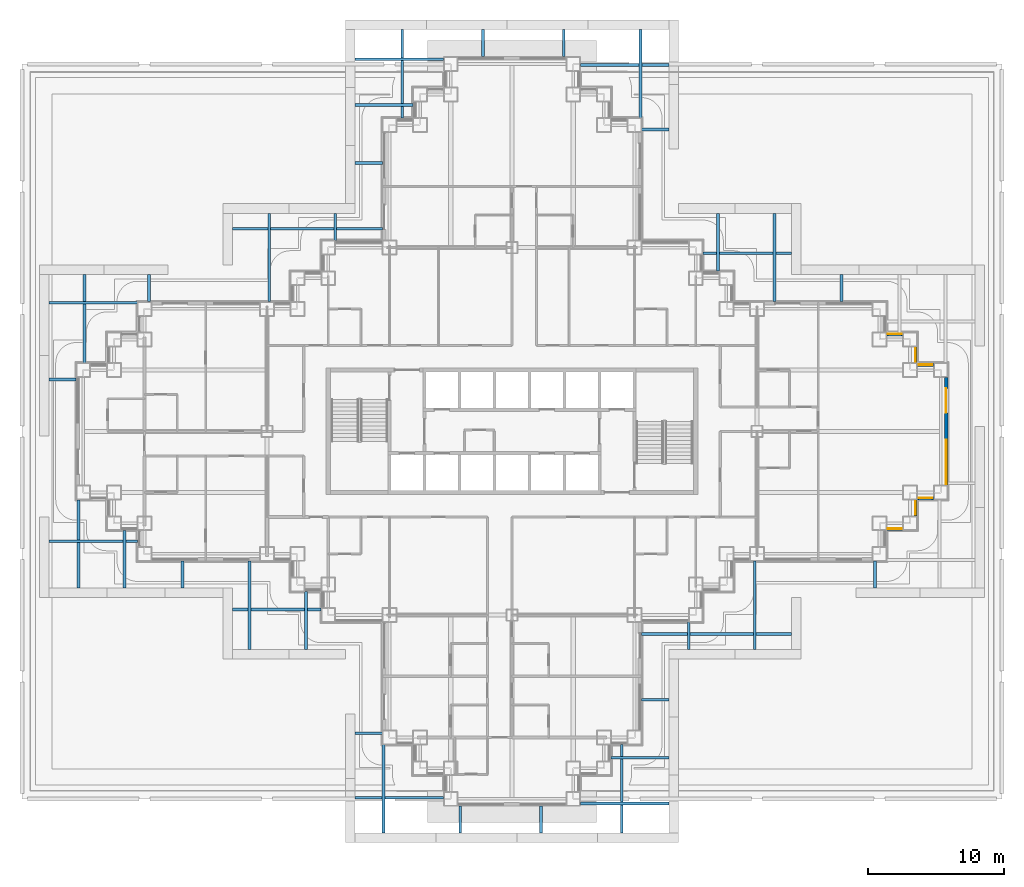
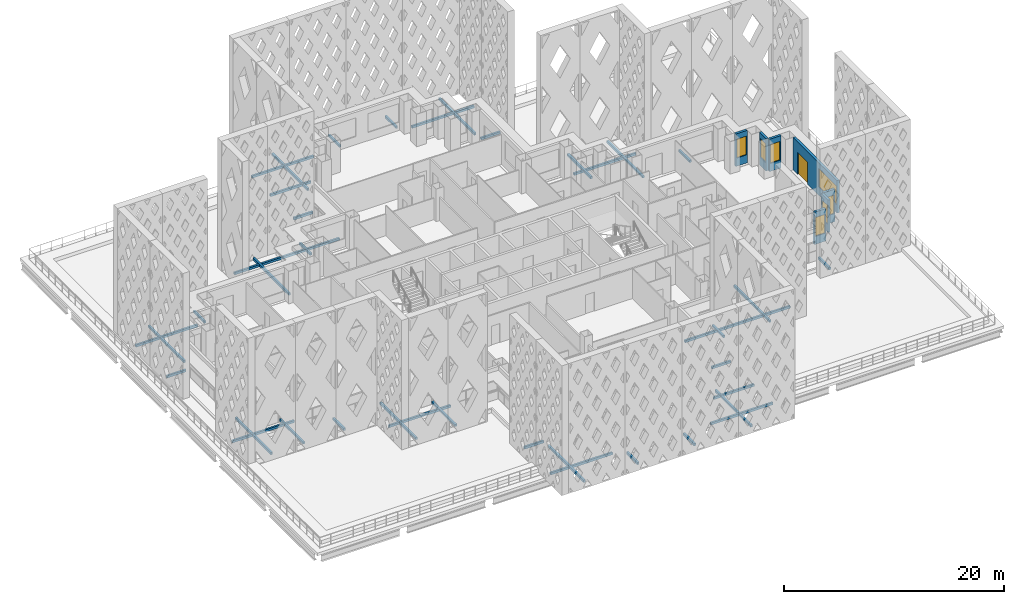
# One storey, part 10 of 26: 40 discrete accessories, 7 walls, 7 windows, 1 door, 8 openings.
"""IFC4 building model written with IfcOpenShell, lengths in metres."""

from ifc_helpers import new_model, si_unit, direction, frame, frame_2d, origin, origin_2d, place, context, subcontext, project, spatial, rectangle, extrude, material, layer, layer_set, type_object, element, fill, save


model = new_model("IFC4")

# Units and contexts
model_context = context("Model", 3, precision=1e-05, world=origin(), true_north=direction((0.0, 1.0)))
body_context = subcontext(model_context, "Body", "Model", "MODEL_VIEW")
ifc_project = project(units=[si_unit("LENGTHUNIT", "METRE"), si_unit("AREAUNIT", "SQUARE_METRE"), si_unit("VOLUMEUNIT", "CUBIC_METRE"), si_unit("PLANEANGLEUNIT", "RADIAN"), si_unit("MASSUNIT", "GRAM", prefix="KILO")], contexts=[model_context])

# Site, building, storey
site_placement = place(None, origin())
site = spatial("IfcSite", under=ifc_project, at=site_placement, CompositionType="ELEMENT")
building_placement = place(site_placement, origin())
building = spatial("IfcBuilding", under=site, at=building_placement, Name="Caravel Reach Hotel and Residences", CompositionType="ELEMENT")
storey_placement = place(building_placement, frame((0.0, 0.0, 33.60009765625)))
storey = spatial("IfcBuildingStorey", under=building, at=storey_placement, Name="L06", CompositionType="ELEMENT", Elevation=33.60009765625)

# Wall, opening, window
ifc_material_1 = material(Name="Insulated rainscreen wall, aluminium cladding", Category="aluminium")
ifc_layer = layer(ifc_material_1, 0.25)
ifc_layer_set = layer_set([ifc_layer], Name="EW1 Tower rainscreen wall")
wall_type = type_object("IfcWallType", Name="EW1 Tower rainscreen wall", PredefinedType="SOLIDWALL", material=ifc_layer_set)
wall_1_placement = place(storey_placement, frame((59.02490234375, 19.85009765625, 0.0), z_axis=(0.0, 0.0, 1.0), x_axis=(1.0, 0.0, 0.0)))
wall_1 = element("IfcWall", 1, at=wall_1_placement, inside=storey, type_object=wall_type, Name="External wall L06 S17.1", PredefinedType="SOLIDWALL", context=body_context, shape_type="SweptSolid", body=[
    extrude(rectangle(XDim=1.2001953125, YDim=0.25, at=frame_2d((0.60009765625, 0.0))), origin(), (0.0, 0.0, 1.0), 3.599853515625),
])
opening_1_placement = place(wall_1_placement, frame((0.10009765625, 0.0, 0.89990234375)))
opening_1 = element("IfcOpeningElement", 2, at=opening_1_placement, cuts=wall_1, Name="Opening WN1", PredefinedType="OPENING", context=body_context, shape_type="SweptSolid", body=[
    extrude(rectangle(XDim=1.0, YDim=2.080078125, at=frame_2d((0.5, 1.0400390625))), frame((0.0, 0.135009765625, 0.0), z_axis=(0.0, -1.0, 0.0), x_axis=(1.0, 0.0, 0.0)), (0.0, 0.0, 1.0), 0.27001953125),
])
ifc_material_2 = material(Name="Dark low-e glazing in black aluminium frame", Category="aluminium")
window_type_1 = type_object("IfcWindowType", Name="Hotel suite corner window 1000 x 2080", PartitioningType="SINGLE_PANEL", PredefinedType="WINDOW", material=ifc_material_2)
window_1_placement = place(opening_1_placement, origin())
window_1 = element("IfcWindow", 3, at=window_1_placement, inside=storey, type_object=window_type_1, Name="Window L06 S17.1.1", OverallHeight=2.080078125, OverallWidth=1.0, PartitioningType="SINGLE_PANEL", PredefinedType="WINDOW", context=body_context, shape_type="SweptSolid", body=[
    extrude(rectangle(XDim=1.0, YDim=2.080078125, at=frame_2d((0.5, 1.0400390625))), frame((0.0, 0.030029296875, 0.0), z_axis=(0.0, -1.0, 0.0), x_axis=(1.0, 0.0, 0.0)), (0.0, 0.0, 1.0), 0.06005859375),
])
fill(opening_1, window_1)

wall_2_placement = place(storey_placement, frame((61.14990234375, 20.77490234375, 0.0), z_axis=(0.0, 0.0, 1.0), x_axis=(0.0, 1.0, 0.0)))
wall_2 = element("IfcWall", 4, at=wall_2_placement, inside=storey, type_object=wall_type, Name="External wall L06 E18.1", PredefinedType="SOLIDWALL", context=body_context, shape_type="SweptSolid", body=[
    extrude(rectangle(XDim=1.2001953125, YDim=0.25, at=frame_2d((0.60009765625, 0.0))), origin(), (0.0, 0.0, 1.0), 3.599853515625),
])
opening_2_placement = place(wall_2_placement, frame((0.10009765625, 0.0, 0.89990234375)))
opening_2 = element("IfcOpeningElement", 5, at=opening_2_placement, cuts=wall_2, Name="Opening WN1", PredefinedType="OPENING", context=body_context, shape_type="SweptSolid", body=[
    extrude(rectangle(XDim=1.0, YDim=2.080078125, at=frame_2d((0.5, 1.0400390625))), frame((0.0, 0.135009765625, 0.0), z_axis=(0.0, -1.0, 0.0), x_axis=(1.0, 0.0, 0.0)), (0.0, 0.0, 1.0), 0.27001953125),
])
window_2_placement = place(opening_2_placement, origin())
window_2 = element("IfcWindow", 6, at=window_2_placement, inside=storey, type_object=window_type_1, Name="Window L06 E18.1.1", OverallHeight=2.080078125, OverallWidth=1.0, PartitioningType="SINGLE_PANEL", PredefinedType="WINDOW", context=body_context, shape_type="SweptSolid", body=[
    extrude(rectangle(XDim=1.0, YDim=2.080078125, at=frame_2d((0.5, 1.0400390625))), frame((0.0, 0.030029296875, 0.0), z_axis=(0.0, -1.0, 0.0), x_axis=(1.0, 0.0, 0.0)), (0.0, 0.0, 1.0), 0.06005859375),
])
fill(opening_2, window_2)

wall_3_placement = place(storey_placement, frame((61.27490234375, 22.10009765625, 0.0), z_axis=(0.0, 0.0, 1.0), x_axis=(1.0, 0.0, 0.0)))
wall_3 = element("IfcWall", 7, at=wall_3_placement, inside=storey, type_object=wall_type, Name="External wall L06 S19.1", PredefinedType="SOLIDWALL", context=body_context, shape_type="SweptSolid", body=[
    extrude(rectangle(XDim=1.2001953125, YDim=0.25, at=frame_2d((0.60009765625, 0.0))), origin(), (0.0, 0.0, 1.0), 3.599853515625),
])
opening_3_placement = place(wall_3_placement, frame((0.10009765625, 0.0, 0.89990234375)))
opening_3 = element("IfcOpeningElement", 8, at=opening_3_placement, cuts=wall_3, Name="Opening WN1", PredefinedType="OPENING", context=body_context, shape_type="SweptSolid", body=[
    extrude(rectangle(XDim=1.0, YDim=2.080078125, at=frame_2d((0.5, 1.0400390625))), frame((0.0, 0.135009765625, 0.0), z_axis=(0.0, -1.0, 0.0), x_axis=(1.0, 0.0, 0.0)), (0.0, 0.0, 1.0), 0.27001953125),
])
window_3_placement = place(opening_3_placement, origin())
window_3 = element("IfcWindow", 9, at=window_3_placement, inside=storey, type_object=window_type_1, Name="Window L06 S19.1.1", OverallHeight=2.080078125, OverallWidth=1.0, PartitioningType="SINGLE_PANEL", PredefinedType="WINDOW", context=body_context, shape_type="SweptSolid", body=[
    extrude(rectangle(XDim=1.0, YDim=2.080078125, at=frame_2d((0.5, 1.0400390625))), frame((0.0, 0.030029296875, 0.0), z_axis=(0.0, -1.0, 0.0), x_axis=(1.0, 0.0, 0.0)), (0.0, 0.0, 1.0), 0.06005859375),
])
fill(opening_3, window_3)

# Wall, openings, window, door
wall_4_placement = place(storey_placement, frame((63.39990234375, 23.02490234375, 0.0), z_axis=(0.0, 0.0, 1.0), x_axis=(0.0, 1.0, 0.0)))
wall_4 = element("IfcWall", 10, at=wall_4_placement, inside=storey, type_object=wall_type, Name="External wall L06 E20.1", PredefinedType="SOLIDWALL", context=body_context, shape_type="SweptSolid", body=[
    extrude(rectangle(XDim=7.9501953125, YDim=0.25, at=frame_2d((3.97509765625, 0.0))), origin(), (0.0, 0.0, 1.0), 3.599853515625),
])
opening_4_placement = place(wall_4_placement, frame((0.10009765625, 0.0, 0.89990234375)))
opening_4 = element("IfcOpeningElement", 11, at=opening_4_placement, cuts=wall_4, Name="Opening WN2", PredefinedType="OPENING", context=body_context, shape_type="SweptSolid", body=[
    extrude(rectangle(XDim=3.25, YDim=2.080078125, at=frame_2d((1.625, 1.0400390625))), frame((0.0, 0.135009765625, 0.0), z_axis=(0.0, -1.0, 0.0), x_axis=(1.0, 0.0, 0.0)), (0.0, 0.0, 1.0), 0.27001953125),
])
opening_5_placement = place(wall_4_placement, frame((5.324951171875, 0.0, 0.0)))
opening_5 = element("IfcOpeningElement", 12, at=opening_5_placement, cuts=wall_4, Name="Opening D06-803", PredefinedType="OPENING", context=body_context, shape_type="SweptSolid", body=[
    extrude(rectangle(XDim=1.800048828125, YDim=2.39990234375, at=frame_2d((0.89990234375, 1.199951171875))), frame((0.0, 0.135009765625, 0.0), z_axis=(0.0, -1.0, 0.0), x_axis=(1.0, 0.0, 0.0)), (0.0, 0.0, 1.0), 0.27001953125),
])
ifc_material_3 = material(Name="Dark low-e glazing in black aluminium frame", Category="aluminium")
window_type_2 = type_object("IfcWindowType", Name="Hotel guest room window 3250 x 2080", PartitioningType="SINGLE_PANEL", PredefinedType="WINDOW", material=ifc_material_3)
window_4_placement = place(opening_4_placement, origin())
window_4 = element("IfcWindow", 13, at=window_4_placement, inside=storey, type_object=window_type_2, Name="Window L06 E20.1.1", OverallHeight=2.080078125, OverallWidth=3.25, PartitioningType="SINGLE_PANEL", PredefinedType="WINDOW", context=body_context, shape_type="SweptSolid", body=[
    extrude(rectangle(XDim=3.25, YDim=2.080078125, at=frame_2d((1.625, 1.0400390625))), frame((0.0, 0.030029296875, 0.0), z_axis=(0.0, -1.0, 0.0), x_axis=(1.0, 0.0, 0.0)), (0.0, 0.0, 1.0), 0.06005859375),
])
fill(opening_4, window_4)
ifc_material_4 = material(Name="Dark glazed door in black aluminium frame", Category="aluminium")
door_type = type_object("IfcDoorType", Name="Terrace door 1800 x 2400", OperationType="DOUBLE_DOOR_SINGLE_SWING", PredefinedType="DOOR", material=ifc_material_4)
door_placement = place(opening_5_placement, origin())
door = element("IfcDoor", 14, at=door_placement, inside=storey, type_object=door_type, Name="Door D06-803", OperationType="DOUBLE_DOOR_SINGLE_SWING", OverallHeight=2.39990234375, OverallWidth=1.800048828125, PredefinedType="DOOR", context=body_context, shape_type="SweptSolid", body=[
    extrude(rectangle(XDim=1.800048828125, YDim=2.39990234375, at=frame_2d((0.89990234375, 1.199951171875))), frame((0.0, 0.02490234375, 0.0), z_axis=(0.0, -1.0, 0.0), x_axis=(1.0, 0.0, 0.0)), (0.0, 0.0, 1.0), 0.050048828125),
])
fill(opening_5, door)

# Wall, opening, window
wall_5_placement = place(storey_placement, frame((62.47509765625, 31.89990234375, 0.0), z_axis=(0.0, 0.0, 1.0), x_axis=(-1.0, 0.0, 0.0)))
wall_5 = element("IfcWall", 15, at=wall_5_placement, inside=storey, type_object=wall_type, Name="External wall L06 N21.1", PredefinedType="SOLIDWALL", context=body_context, shape_type="SweptSolid", body=[
    extrude(rectangle(XDim=1.2001953125, YDim=0.25, at=frame_2d((0.60009765625, 0.0))), origin(), (0.0, 0.0, 1.0), 3.599853515625),
])
opening_6_placement = place(wall_5_placement, frame((0.10009765625, 0.0, 0.89990234375)))
opening_6 = element("IfcOpeningElement", 16, at=opening_6_placement, cuts=wall_5, Name="Opening WN1", PredefinedType="OPENING", context=body_context, shape_type="SweptSolid", body=[
    extrude(rectangle(XDim=1.0, YDim=2.080078125, at=frame_2d((0.5, 1.0400390625))), frame((0.0, 0.135009765625, 0.0), z_axis=(0.0, -1.0, 0.0), x_axis=(1.0, 0.0, 0.0)), (0.0, 0.0, 1.0), 0.27001953125),
])
window_5_placement = place(opening_6_placement, origin())
window_5 = element("IfcWindow", 17, at=window_5_placement, inside=storey, type_object=window_type_1, Name="Window L06 N21.1.1", OverallHeight=2.080078125, OverallWidth=1.0, PartitioningType="SINGLE_PANEL", PredefinedType="WINDOW", context=body_context, shape_type="SweptSolid", body=[
    extrude(rectangle(XDim=1.0, YDim=2.080078125, at=frame_2d((0.5, 1.0400390625))), frame((0.0, 0.030029296875, 0.0), z_axis=(0.0, -1.0, 0.0), x_axis=(1.0, 0.0, 0.0)), (0.0, 0.0, 1.0), 0.06005859375),
])
fill(opening_6, window_5)

wall_6_placement = place(storey_placement, frame((61.14990234375, 32.02490234375, 0.0), z_axis=(0.0, 0.0, 1.0), x_axis=(0.0, 1.0, 0.0)))
wall_6 = element("IfcWall", 18, at=wall_6_placement, inside=storey, type_object=wall_type, Name="External wall L06 E22.1", PredefinedType="SOLIDWALL", context=body_context, shape_type="SweptSolid", body=[
    extrude(rectangle(XDim=1.2001953125, YDim=0.25, at=frame_2d((0.60009765625, 0.0))), origin(), (0.0, 0.0, 1.0), 3.599853515625),
])
opening_7_placement = place(wall_6_placement, frame((0.10009765625, 0.0, 0.89990234375)))
opening_7 = element("IfcOpeningElement", 19, at=opening_7_placement, cuts=wall_6, Name="Opening WN1", PredefinedType="OPENING", context=body_context, shape_type="SweptSolid", body=[
    extrude(rectangle(XDim=1.0, YDim=2.080078125, at=frame_2d((0.5, 1.0400390625))), frame((0.0, 0.135009765625, 0.0), z_axis=(0.0, -1.0, 0.0), x_axis=(1.0, 0.0, 0.0)), (0.0, 0.0, 1.0), 0.27001953125),
])
window_6_placement = place(opening_7_placement, origin())
window_6 = element("IfcWindow", 20, at=window_6_placement, inside=storey, type_object=window_type_1, Name="Window L06 E22.1.1", OverallHeight=2.080078125, OverallWidth=1.0, PartitioningType="SINGLE_PANEL", PredefinedType="WINDOW", context=body_context, shape_type="SweptSolid", body=[
    extrude(rectangle(XDim=1.0, YDim=2.080078125, at=frame_2d((0.5, 1.0400390625))), frame((0.0, 0.030029296875, 0.0), z_axis=(0.0, -1.0, 0.0), x_axis=(1.0, 0.0, 0.0)), (0.0, 0.0, 1.0), 0.06005859375),
])
fill(opening_7, window_6)

wall_7_placement = place(storey_placement, frame((60.22509765625, 34.14990234375, 0.0), z_axis=(0.0, 0.0, 1.0), x_axis=(-1.0, 0.0, 0.0)))
wall_7 = element("IfcWall", 21, at=wall_7_placement, inside=storey, type_object=wall_type, Name="External wall L06 N23.1", PredefinedType="SOLIDWALL", context=body_context, shape_type="SweptSolid", body=[
    extrude(rectangle(XDim=1.2001953125, YDim=0.25, at=frame_2d((0.60009765625, 0.0))), origin(), (0.0, 0.0, 1.0), 3.599853515625),
])
opening_8_placement = place(wall_7_placement, frame((0.10009765625, 0.0, 0.89990234375)))
opening_8 = element("IfcOpeningElement", 22, at=opening_8_placement, cuts=wall_7, Name="Opening WN1", PredefinedType="OPENING", context=body_context, shape_type="SweptSolid", body=[
    extrude(rectangle(XDim=1.0, YDim=2.080078125, at=frame_2d((0.5, 1.0400390625))), frame((0.0, 0.135009765625, 0.0), z_axis=(0.0, -1.0, 0.0), x_axis=(1.0, 0.0, 0.0)), (0.0, 0.0, 1.0), 0.27001953125),
])
window_7_placement = place(opening_8_placement, origin())
window_7 = element("IfcWindow", 23, at=window_7_placement, inside=storey, type_object=window_type_1, Name="Window L06 N23.1.1", OverallHeight=2.080078125, OverallWidth=1.0, PartitioningType="SINGLE_PANEL", PredefinedType="WINDOW", context=body_context, shape_type="SweptSolid", body=[
    extrude(rectangle(XDim=1.0, YDim=2.080078125, at=frame_2d((0.5, 1.0400390625))), frame((0.0, 0.030029296875, 0.0), z_axis=(0.0, -1.0, 0.0), x_axis=(1.0, 0.0, 0.0)), (0.0, 0.0, 1.0), 0.06005859375),
])
fill(opening_8, window_7)

# Discrete accessories
ifc_material_5 = material(Name="Black powder-coated aluminium", Category="aluminium")
discrete_accessory_type = type_object("IfcDiscreteAccessoryType", Name="BR1 Screen bracket", PredefinedType="BRACKET", material=ifc_material_5)
discrete_accessory_1_placement = place(storey_placement, frame((20.97509765625, 4.82177734375, 0.099853515625), z_axis=(0.0, 0.0, 1.0), x_axis=(-1.0, 0.0, 0.0)))
element("IfcDiscreteAccessory", 24, at=discrete_accessory_1_placement, inside=storey, type_object=discrete_accessory_type, Name="Screen bracket L06 1.2.1", PredefinedType="BRACKET", context=body_context, shape_type="SweptSolid", body=[
    extrude(rectangle(XDim=2.0, YDim=0.199951171875, at=origin_2d()), origin(), (0.0, 0.0, 1.0), 0.25),
])
for number, where, z_axis, x_axis, name in (
    (25, (23.22509765625, 0.08837890625, 0.099853515625), (0.0, 0.0, 1.0), (-1.0, 0.0, 0.0), "Screen bracket L06 1.3.1"),
    (26, (22.05615234375, 0.72509765625, 0.099853515625), (0.0, 0.0, 1.0), (0.0, -1.0, 0.0), "Screen bracket L06 2.1.1"),
):
    element("IfcDiscreteAccessory", number, at=place(storey_placement, frame(where, z_axis=z_axis, x_axis=x_axis)), inside=storey, type_object=discrete_accessory_type, Name=name, PredefinedType="BRACKET", context=body_context, shape_type="SweptSolid", body=[
        extrude(rectangle(XDim=6.5, YDim=0.199951171875, at=origin_2d()), origin(), (0.0, 0.0, 1.0), 0.25),
    ])
for number, where, z_axis, x_axis, name in (
    (27, (27.69384765625, -1.52490234375, 0.099853515625), (0.0, 0.0, 1.0), (0.0, -1.0, 0.0), "Screen bracket L06 2.2.1"),
    (28, (33.63134765625, -1.52490234375, 0.099853515625), (0.0, 0.0, 1.0), (0.0, -1.0, 0.0), "Screen bracket L06 2.3.1"),
):
    element("IfcDiscreteAccessory", number, at=place(storey_placement, frame(where, z_axis=z_axis, x_axis=x_axis)), inside=storey, type_object=discrete_accessory_type, Name=name, PredefinedType="BRACKET", context=body_context, shape_type="SweptSolid", body=[
        extrude(rectangle(XDim=2.0, YDim=0.199951171875, at=origin_2d()), origin(), (0.0, 0.0, 1.0), 0.25),
    ])
for number, where, z_axis, x_axis, name in (
    (29, (39.56884765625, 0.72509765625, 0.099853515625), (0.0, 0.0, 1.0), (0.0, -1.0, 0.0), "Screen bracket L06 2.4.1"),
    (30, (39.77490234375, -0.344970703125, 0.099853515625), (0.0, 0.0, 1.0), (1.0, 0.0, 0.0), "Screen bracket L06 3.1.1"),
):
    element("IfcDiscreteAccessory", number, at=place(storey_placement, frame(where, z_axis=z_axis, x_axis=x_axis)), inside=storey, type_object=discrete_accessory_type, Name=name, PredefinedType="BRACKET", context=body_context, shape_type="SweptSolid", body=[
        extrude(rectangle(XDim=6.5, YDim=0.199951171875, at=origin_2d()), origin(), (0.0, 0.0, 1.0), 0.25),
    ])
discrete_accessory_2_placement = place(storey_placement, frame((40.89990234375, 3.021728515625, 0.099853515625), z_axis=(0.0, 0.0, 1.0), x_axis=(1.0, 0.0, 0.0)))
element("IfcDiscreteAccessory", 31, at=discrete_accessory_2_placement, inside=storey, type_object=discrete_accessory_type, Name="Screen bracket L06 3.2.1", PredefinedType="BRACKET", context=body_context, shape_type="SweptSolid", body=[
    extrude(rectangle(XDim=4.25, YDim=0.199951171875, at=origin_2d()), origin(), (0.0, 0.0, 1.0), 0.25),
])
for number, where, z_axis, x_axis, name in (
    (32, (42.02490234375, 7.288330078125, 0.099853515625), (0.0, 0.0, 1.0), (1.0, 0.0, 0.0), "Screen bracket L06 3.3.1"),
    (33, (44.47998046875, 11.97509765625, 0.099853515625), (0.0, 0.0, 1.0), (0.0, -1.0, 0.0), "Screen bracket L06 4.1.1"),
):
    element("IfcDiscreteAccessory", number, at=place(storey_placement, frame(where, z_axis=z_axis, x_axis=x_axis)), inside=storey, type_object=discrete_accessory_type, Name=name, PredefinedType="BRACKET", context=body_context, shape_type="SweptSolid", body=[
        extrude(rectangle(XDim=2.0, YDim=0.199951171875, at=origin_2d()), origin(), (0.0, 0.0, 1.0), 0.25),
    ])
discrete_accessory_3_placement = place(storey_placement, frame((49.330078125, 14.22509765625, 0.099853515625), z_axis=(0.0, 0.0, 1.0), x_axis=(0.0, -1.0, 0.0)))
element("IfcDiscreteAccessory", 34, at=discrete_accessory_3_placement, inside=storey, type_object=discrete_accessory_type, Name="Screen bracket L06 4.2.1", PredefinedType="BRACKET", context=body_context, shape_type="SweptSolid", body=[
    extrude(rectangle(XDim=6.5, YDim=0.199951171875, at=origin_2d()), origin(), (0.0, 0.0, 1.0), 0.25),
])
discrete_accessory_4_placement = place(storey_placement, frame((46.52490234375, 12.114990234375, 0.099853515625), z_axis=(0.0, 0.0, 1.0), x_axis=(1.0, 0.0, 0.0)))
element("IfcDiscreteAccessory", 35, at=discrete_accessory_4_placement, inside=storey, type_object=discrete_accessory_type, Name="Screen bracket L06 5.1.1", PredefinedType="BRACKET", context=body_context, shape_type="SweptSolid", body=[
    extrude(rectangle(XDim=11.0, YDim=0.199951171875, at=origin_2d()), origin(), (0.0, 0.0, 1.0), 0.25),
])
for number, where, z_axis, x_axis, name in (
    (36, (58.17822265625, 16.47509765625, 0.099853515625), (0.0, 0.0, 1.0), (0.0, -1.0, 0.0), "Screen bracket L06 6.2.1"),
    (37, (55.711669921875, 37.52490234375, 0.099853515625), (0.0, 0.0, 1.0), (0.0, 1.0, 0.0), "Screen bracket L06 8.3.1"),
):
    element("IfcDiscreteAccessory", number, at=place(storey_placement, frame(where, z_axis=z_axis, x_axis=x_axis)), inside=storey, type_object=discrete_accessory_type, Name=name, PredefinedType="BRACKET", context=body_context, shape_type="SweptSolid", body=[
        extrude(rectangle(XDim=2.0, YDim=0.199951171875, at=origin_2d()), origin(), (0.0, 0.0, 1.0), 0.25),
    ])
for number, where, z_axis, x_axis, name in (
    (38, (48.77490234375, 40.0849609375, 0.099853515625), (0.0, 0.0, 1.0), (1.0, 0.0, 0.0), "Screen bracket L06 9.1.1"),
    (39, (50.780029296875, 39.77490234375, 0.099853515625), (0.0, 0.0, 1.0), (0.0, 1.0, 0.0), "Screen bracket L06 10.1.1"),
):
    element("IfcDiscreteAccessory", number, at=place(storey_placement, frame(where, z_axis=z_axis, x_axis=x_axis)), inside=storey, type_object=discrete_accessory_type, Name=name, PredefinedType="BRACKET", context=body_context, shape_type="SweptSolid", body=[
        extrude(rectangle(XDim=6.5, YDim=0.199951171875, at=origin_2d()), origin(), (0.0, 0.0, 1.0), 0.25),
    ])
discrete_accessory_5_placement = place(storey_placement, frame((46.6298828125, 40.89990234375, 0.099853515625), z_axis=(0.0, 0.0, 1.0), x_axis=(0.0, 1.0, 0.0)))
element("IfcDiscreteAccessory", 40, at=discrete_accessory_5_placement, inside=storey, type_object=discrete_accessory_type, Name="Screen bracket L06 10.2.1", PredefinedType="BRACKET", context=body_context, shape_type="SweptSolid", body=[
    extrude(rectangle(XDim=4.25, YDim=0.199951171875, at=origin_2d()), origin(), (0.0, 0.0, 1.0), 0.25),
])
discrete_accessory_6_placement = place(storey_placement, frame((42.02490234375, 49.17822265625, 0.099853515625), z_axis=(0.0, 0.0, 1.0), x_axis=(1.0, 0.0, 0.0)))
element("IfcDiscreteAccessory", 41, at=discrete_accessory_6_placement, inside=storey, type_object=discrete_accessory_type, Name="Screen bracket L06 11.2.1", PredefinedType="BRACKET", context=body_context, shape_type="SweptSolid", body=[
    extrude(rectangle(XDim=2.0, YDim=0.199951171875, at=origin_2d()), origin(), (0.0, 0.0, 1.0), 0.25),
])
for number, where, z_axis, x_axis, name in (
    (42, (39.77490234375, 53.91162109375, 0.099853515625), (0.0, 0.0, 1.0), (1.0, 0.0, 0.0), "Screen bracket L06 11.3.1"),
    (43, (40.94384765625, 53.27490234375, 0.099853515625), (0.0, 0.0, 1.0), (0.0, 1.0, 0.0), "Screen bracket L06 12.1.1"),
):
    element("IfcDiscreteAccessory", number, at=place(storey_placement, frame(where, z_axis=z_axis, x_axis=x_axis)), inside=storey, type_object=discrete_accessory_type, Name=name, PredefinedType="BRACKET", context=body_context, shape_type="SweptSolid", body=[
        extrude(rectangle(XDim=6.5, YDim=0.199951171875, at=origin_2d()), origin(), (0.0, 0.0, 1.0), 0.25),
    ])
for number, where, z_axis, x_axis, name in (
    (44, (35.30615234375, 55.52490234375, 0.099853515625), (0.0, 0.0, 1.0), (0.0, 1.0, 0.0), "Screen bracket L06 12.2.1"),
    (45, (29.36865234375, 55.52490234375, 0.099853515625), (0.0, 0.0, 1.0), (0.0, 1.0, 0.0), "Screen bracket L06 12.3.1"),
):
    element("IfcDiscreteAccessory", number, at=place(storey_placement, frame(where, z_axis=z_axis, x_axis=x_axis)), inside=storey, type_object=discrete_accessory_type, Name=name, PredefinedType="BRACKET", context=body_context, shape_type="SweptSolid", body=[
        extrude(rectangle(XDim=2.0, YDim=0.199951171875, at=origin_2d()), origin(), (0.0, 0.0, 1.0), 0.25),
    ])
for number, where, z_axis, x_axis, name in (
    (46, (23.43115234375, 53.27490234375, 0.099853515625), (0.0, 0.0, 1.0), (0.0, 1.0, 0.0), "Screen bracket L06 12.4.1"),
    (47, (23.22509765625, 54.344970703125, 0.099853515625), (0.0, 0.0, 1.0), (-1.0, 0.0, 0.0), "Screen bracket L06 13.1.1"),
):
    element("IfcDiscreteAccessory", number, at=place(storey_placement, frame(where, z_axis=z_axis, x_axis=x_axis)), inside=storey, type_object=discrete_accessory_type, Name=name, PredefinedType="BRACKET", context=body_context, shape_type="SweptSolid", body=[
        extrude(rectangle(XDim=6.5, YDim=0.199951171875, at=origin_2d()), origin(), (0.0, 0.0, 1.0), 0.25),
    ])
discrete_accessory_7_placement = place(storey_placement, frame((22.10009765625, 50.978271484375, 0.099853515625), z_axis=(0.0, 0.0, 1.0), x_axis=(-1.0, 0.0, 0.0)))
element("IfcDiscreteAccessory", 48, at=discrete_accessory_7_placement, inside=storey, type_object=discrete_accessory_type, Name="Screen bracket L06 13.2.1", PredefinedType="BRACKET", context=body_context, shape_type="SweptSolid", body=[
    extrude(rectangle(XDim=4.25, YDim=0.199951171875, at=origin_2d()), origin(), (0.0, 0.0, 1.0), 0.25),
])
for number, where, z_axis, x_axis, name in (
    (49, (20.97509765625, 46.711669921875, 0.099853515625), (0.0, 0.0, 1.0), (-1.0, 0.0, 0.0), "Screen bracket L06 13.3.1"),
    (50, (18.52001953125, 42.02490234375, 0.099853515625), (0.0, 0.0, 1.0), (0.0, 1.0, 0.0), "Screen bracket L06 14.1.1"),
):
    element("IfcDiscreteAccessory", number, at=place(storey_placement, frame(where, z_axis=z_axis, x_axis=x_axis)), inside=storey, type_object=discrete_accessory_type, Name=name, PredefinedType="BRACKET", context=body_context, shape_type="SweptSolid", body=[
        extrude(rectangle(XDim=2.0, YDim=0.199951171875, at=origin_2d()), origin(), (0.0, 0.0, 1.0), 0.25),
    ])
discrete_accessory_8_placement = place(storey_placement, frame((13.669921875, 39.77490234375, 0.099853515625), z_axis=(0.0, 0.0, 1.0), x_axis=(0.0, 1.0, 0.0)))
element("IfcDiscreteAccessory", 51, at=discrete_accessory_8_placement, inside=storey, type_object=discrete_accessory_type, Name="Screen bracket L06 14.2.1", PredefinedType="BRACKET", context=body_context, shape_type="SweptSolid", body=[
    extrude(rectangle(XDim=6.5, YDim=0.199951171875, at=origin_2d()), origin(), (0.0, 0.0, 1.0), 0.25),
])
discrete_accessory_9_placement = place(storey_placement, frame((16.47509765625, 41.885009765625, 0.099853515625), z_axis=(0.0, 0.0, 1.0), x_axis=(-1.0, 0.0, 0.0)))
element("IfcDiscreteAccessory", 52, at=discrete_accessory_9_placement, inside=storey, type_object=discrete_accessory_type, Name="Screen bracket L06 15.1.1", PredefinedType="BRACKET", context=body_context, shape_type="SweptSolid", body=[
    extrude(rectangle(XDim=11.0, YDim=0.199951171875, at=origin_2d()), origin(), (0.0, 0.0, 1.0), 0.25),
])
discrete_accessory_10_placement = place(storey_placement, frame((4.82177734375, 37.52490234375, 0.099853515625), z_axis=(0.0, 0.0, 1.0), x_axis=(0.0, 1.0, 0.0)))
element("IfcDiscreteAccessory", 53, at=discrete_accessory_10_placement, inside=storey, type_object=discrete_accessory_type, Name="Screen bracket L06 16.2.1", PredefinedType="BRACKET", context=body_context, shape_type="SweptSolid", body=[
    extrude(rectangle(XDim=2.0, YDim=0.199951171875, at=origin_2d()), origin(), (0.0, 0.0, 1.0), 0.25),
])
for number, where, z_axis, x_axis, name in (
    (54, (0.08837890625, 35.27490234375, 0.099853515625), (0.0, 0.0, 1.0), (0.0, 1.0, 0.0), "Screen bracket L06 16.3.1"),
    (55, (0.72509765625, 36.44384765625, 0.099853515625), (0.0, 0.0, 1.0), (-1.0, 0.0, 0.0), "Screen bracket L06 17.1.1"),
):
    element("IfcDiscreteAccessory", number, at=place(storey_placement, frame(where, z_axis=z_axis, x_axis=x_axis)), inside=storey, type_object=discrete_accessory_type, Name=name, PredefinedType="BRACKET", context=body_context, shape_type="SweptSolid", body=[
        extrude(rectangle(XDim=6.5, YDim=0.199951171875, at=origin_2d()), origin(), (0.0, 0.0, 1.0), 0.25),
    ])
discrete_accessory_11_placement = place(storey_placement, frame((-1.52490234375, 30.80615234375, 0.099853515625), z_axis=(0.0, 0.0, 1.0), x_axis=(-1.0, 0.0, 0.0)))
element("IfcDiscreteAccessory", 56, at=discrete_accessory_11_placement, inside=storey, type_object=discrete_accessory_type, Name="Screen bracket L06 17.2.1", PredefinedType="BRACKET", context=body_context, shape_type="SweptSolid", body=[
    extrude(rectangle(XDim=2.0, YDim=0.199951171875, at=origin_2d()), origin(), (0.0, 0.0, 1.0), 0.25),
])
for number, where, z_axis, x_axis, name in (
    (57, (0.72509765625, 18.93115234375, 0.099853515625), (0.0, 0.0, 1.0), (-1.0, 0.0, 0.0), "Screen bracket L06 17.4.1"),
    (58, (-0.344970703125, 18.72509765625, 0.099853515625), (0.0, 0.0, 1.0), (0.0, -1.0, 0.0), "Screen bracket L06 18.1.1"),
):
    element("IfcDiscreteAccessory", number, at=place(storey_placement, frame(where, z_axis=z_axis, x_axis=x_axis)), inside=storey, type_object=discrete_accessory_type, Name=name, PredefinedType="BRACKET", context=body_context, shape_type="SweptSolid", body=[
        extrude(rectangle(XDim=6.5, YDim=0.199951171875, at=origin_2d()), origin(), (0.0, 0.0, 1.0), 0.25),
    ])
discrete_accessory_12_placement = place(storey_placement, frame((3.021728515625, 17.60009765625, 0.099853515625), z_axis=(0.0, 0.0, 1.0), x_axis=(0.0, -1.0, 0.0)))
element("IfcDiscreteAccessory", 59, at=discrete_accessory_12_placement, inside=storey, type_object=discrete_accessory_type, Name="Screen bracket L06 18.2.1", PredefinedType="BRACKET", context=body_context, shape_type="SweptSolid", body=[
    extrude(rectangle(XDim=4.25, YDim=0.199951171875, at=origin_2d()), origin(), (0.0, 0.0, 1.0), 0.25),
])
discrete_accessory_13_placement = place(storey_placement, frame((7.288330078125, 16.47509765625, 0.099853515625), z_axis=(0.0, 0.0, 1.0), x_axis=(0.0, -1.0, 0.0)))
element("IfcDiscreteAccessory", 60, at=discrete_accessory_13_placement, inside=storey, type_object=discrete_accessory_type, Name="Screen bracket L06 18.3.1", PredefinedType="BRACKET", context=body_context, shape_type="SweptSolid", body=[
    extrude(rectangle(XDim=2.0, YDim=0.199951171875, at=origin_2d()), origin(), (0.0, 0.0, 1.0), 0.25),
])
for number, where, z_axis, x_axis, name in (
    (61, (14.22509765625, 13.9150390625, 0.099853515625), (0.0, 0.0, 1.0), (-1.0, 0.0, 0.0), "Screen bracket L06 19.1.1"),
    (62, (12.219970703125, 14.22509765625, 0.099853515625), (0.0, 0.0, 1.0), (0.0, -1.0, 0.0), "Screen bracket L06 20.1.1"),
):
    element("IfcDiscreteAccessory", number, at=place(storey_placement, frame(where, z_axis=z_axis, x_axis=x_axis)), inside=storey, type_object=discrete_accessory_type, Name=name, PredefinedType="BRACKET", context=body_context, shape_type="SweptSolid", body=[
        extrude(rectangle(XDim=6.5, YDim=0.199951171875, at=origin_2d()), origin(), (0.0, 0.0, 1.0), 0.25),
    ])
discrete_accessory_14_placement = place(storey_placement, frame((16.3701171875, 13.10009765625, 0.099853515625), z_axis=(0.0, 0.0, 1.0), x_axis=(0.0, -1.0, 0.0)))
element("IfcDiscreteAccessory", 63, at=discrete_accessory_14_placement, inside=storey, type_object=discrete_accessory_type, Name="Screen bracket L06 20.2.1", PredefinedType="BRACKET", context=body_context, shape_type="SweptSolid", body=[
    extrude(rectangle(XDim=4.25, YDim=0.199951171875, at=origin_2d()), origin(), (0.0, 0.0, 1.0), 0.25),
])

save(model, "model.ifc")
